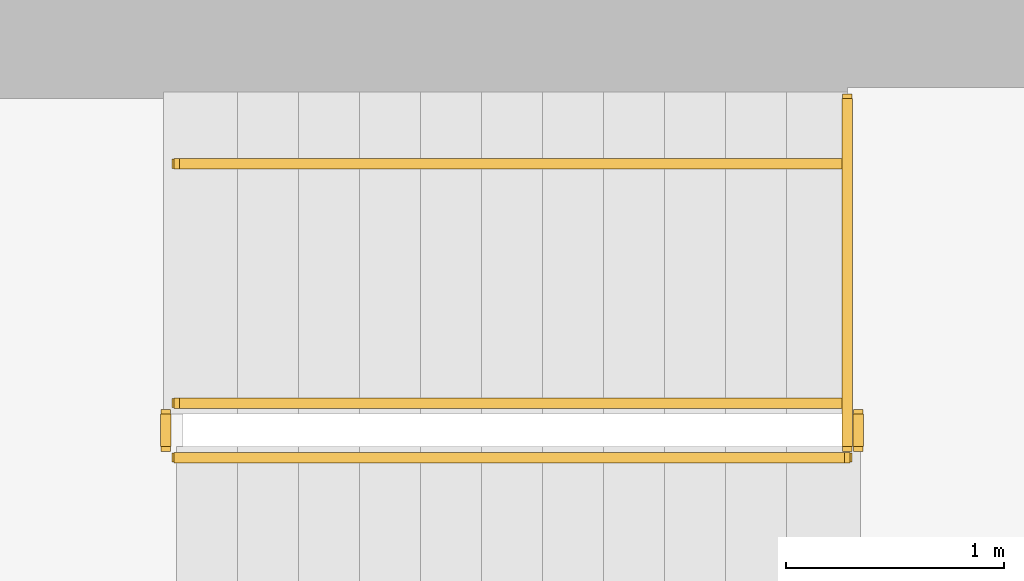
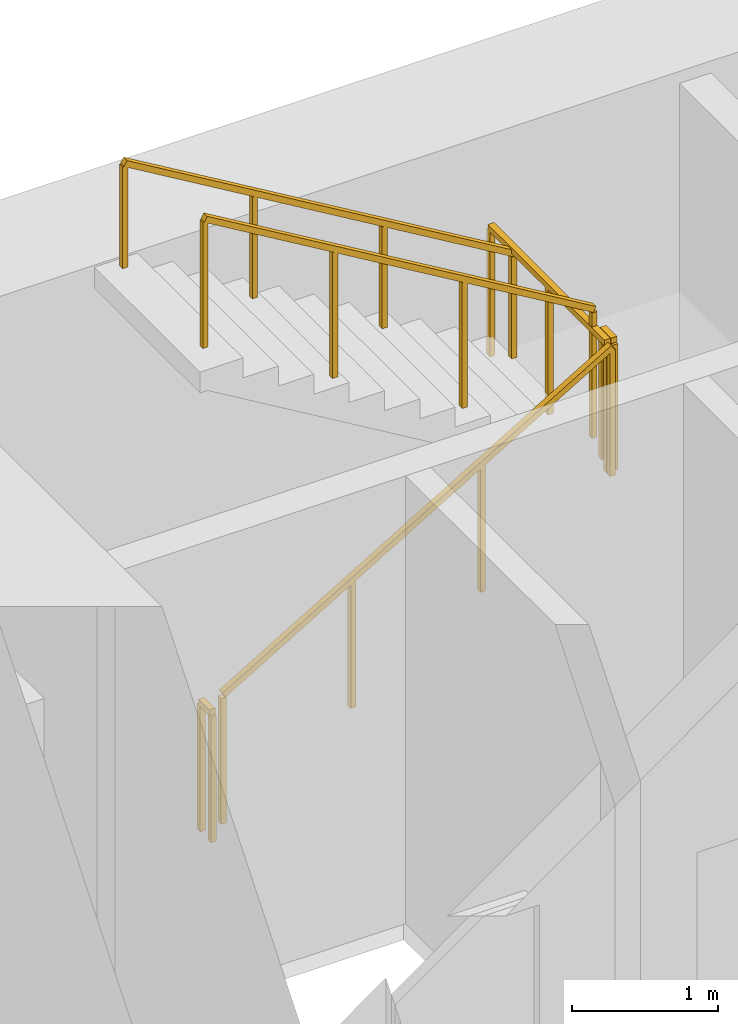
# One storey, part 15 of 16: 6 railings.
"""IFC4 building model written with IfcOpenShell, lengths in metres."""

from ifc_helpers import new_model, si_unit, direction, frame, origin, origin_2d, place, context, subcontext, project, spatial, rectangle, extrude, material, type_object, element, save


model = new_model("IFC4")

# Units and contexts
model_context = context("Model", 3, precision=1e-05, world=origin(), true_north=direction((0.0, 1.0)))
body_context = subcontext(model_context, "Body", "Model", "MODEL_VIEW")
ifc_project = project(units=[si_unit("LENGTHUNIT", "METRE"), si_unit("AREAUNIT", "SQUARE_METRE"), si_unit("VOLUMEUNIT", "CUBIC_METRE"), si_unit("PLANEANGLEUNIT", "RADIAN"), si_unit("MASSUNIT", "GRAM", prefix="KILO")], contexts=[model_context])

# Site, building, storey
site_placement = place(None, origin())
site = spatial("IfcSite", under=ifc_project, at=site_placement, CompositionType="ELEMENT")
building_placement = place(site_placement, origin())
building = spatial("IfcBuilding", under=site, at=building_placement, Name="Sennacour Bend Tower", CompositionType="ELEMENT")
storey_placement = place(building_placement, frame((0.0, 0.0, 183.0)))
storey = spatial("IfcBuildingStorey", under=building, at=storey_placement, Name="L42", CompositionType="ELEMENT", Elevation=183.0)

# Railings
ifc_material = material(Name="Stainless steel", Category="steel")
railing_type_1 = type_object("IfcRailingType", Name="RL-GUARD-1100", PredefinedType="GUARDRAIL", material=ifc_material)
railing_1_placement = place(storey_placement, frame((56.699951171875, 19.85009765625, 0.166748046875)))
element("IfcRailing", 1, at=railing_1_placement, inside=storey, type_object=railing_type_1, Name="L42 SA2 stair guard 1", PredefinedType="GUARDRAIL", context=body_context, shape_type="SweptSolid", body=[
    extrude(rectangle(XDim=0.048095703125, YDim=0.048095703125, at=origin_2d()), frame((0.0, 0.0, 1.076171875), z_axis=(0.859308565015, 0.0, 0.511457515432), x_axis=(0.0, 1.0, 0.0)), (0.0, 0.0, 1.0), 3.58447265625),
    extrude(rectangle(XDim=0.0419921875, YDim=0.0419921875, at=origin_2d()), origin(), (0.0, 0.0, 1.0), 1.052001953125),
    extrude(rectangle(XDim=0.0419921875, YDim=0.0419921875, at=origin_2d()), frame((1.026611328125, 0.0, 0.611083984375)), (0.0, 0.0, 1.0), 1.052001953125),
    extrude(rectangle(XDim=0.0419921875, YDim=0.0419921875, at=origin_2d()), frame((2.053466796875, 0.0, 1.22216796875)), (0.0, 0.0, 1.0), 1.052001953125),
    extrude(rectangle(XDim=0.0419921875, YDim=0.0419921875, at=origin_2d()), frame((3.080078125, 0.0, 1.833251953125)), (0.0, 0.0, 1.0), 1.052001953125),
])
railing_2_placement = place(storey_placement, frame((59.830078125, 19.89990234375, 2.0)))
element("IfcRailing", 2, at=railing_2_placement, inside=storey, type_object=railing_type_1, Name="L42 SA2 stair guard 2", PredefinedType="GUARDRAIL", context=body_context, shape_type="SweptSolid", body=[
    extrude(rectangle(XDim=0.048095703125, YDim=0.048095703125, at=origin_2d()), frame((0.0, 0.0, 1.076171875), z_axis=(0.0, 1.0, 0.0), x_axis=(-1.0, 0.0, 0.0)), (0.0, 0.0, 1.0), 0.150146484375),
    extrude(rectangle(XDim=0.0419921875, YDim=0.0419921875, at=origin_2d()), origin(), (0.0, 0.0, 1.0), 1.052001953125),
    extrude(rectangle(XDim=0.0419921875, YDim=0.0419921875, at=origin_2d()), frame((0.0, 0.150146484375, 0.0)), (0.0, 0.0, 1.0), 1.052001953125),
])
railing_3_placement = place(storey_placement, frame((59.780029296875, 20.10009765625, 2.166748046875)))
element("IfcRailing", 3, at=railing_3_placement, inside=storey, type_object=railing_type_1, Name="L42 SA2 stair guard 4", PredefinedType="GUARDRAIL", context=body_context, shape_type="SweptSolid", body=[
    extrude(rectangle(XDim=0.048095703125, YDim=0.048095703125, at=origin_2d()), frame((0.0, 0.0, 1.076171875), z_axis=(-0.859308565015, 0.0, 0.511457515432), x_axis=(0.0, -1.0, 0.0)), (0.0, 0.0, 1.0), 3.58447265625),
    extrude(rectangle(XDim=0.0419921875, YDim=0.0419921875, at=origin_2d()), origin(), (0.0, 0.0, 1.0), 1.052001953125),
    extrude(rectangle(XDim=0.0419921875, YDim=0.0419921875, at=origin_2d()), frame((-1.026611328125, 0.0, 0.611083984375)), (0.0, 0.0, 1.0), 1.052001953125),
    extrude(rectangle(XDim=0.0419921875, YDim=0.0419921875, at=origin_2d()), frame((-2.053466796875, 0.0, 1.22216796875)), (0.0, 0.0, 1.0), 1.052001953125),
    extrude(rectangle(XDim=0.0419921875, YDim=0.0419921875, at=origin_2d()), frame((-3.080078125, 0.0, 1.833251953125)), (0.0, 0.0, 1.0), 1.052001953125),
])
railing_4_placement = place(storey_placement, frame((56.64990234375, 19.89990234375, 0.0)))
element("IfcRailing", 4, at=railing_4_placement, inside=storey, type_object=railing_type_1, Name="L42 SA2 stair guard 5", PredefinedType="GUARDRAIL", context=body_context, shape_type="SweptSolid", body=[
    extrude(rectangle(XDim=0.048095703125, YDim=0.048095703125, at=origin_2d()), frame((0.0, 0.0, 1.076171875), z_axis=(0.0, 1.0, 0.0), x_axis=(-1.0, 0.0, 0.0)), (0.0, 0.0, 1.0), 0.150146484375),
    extrude(rectangle(XDim=0.0419921875, YDim=0.0419921875, at=origin_2d()), origin(), (0.0, 0.0, 1.0), 1.052001953125),
    extrude(rectangle(XDim=0.0419921875, YDim=0.0419921875, at=origin_2d()), frame((0.0, 0.150146484375, 0.0)), (0.0, 0.0, 1.0), 1.052001953125),
])
railing_5_placement = place(storey_placement, frame((59.780029296875, 19.89990234375, 2.0)))
element("IfcRailing", 5, at=railing_5_placement, inside=storey, type_object=railing_type_1, Name="L42 SA2 landing edge guard 57", PredefinedType="GUARDRAIL", context=body_context, shape_type="SweptSolid", body=[
    extrude(rectangle(XDim=0.048095703125, YDim=0.048095703125, at=origin_2d()), frame((0.0, 0.0, 1.076171875), z_axis=(0.0, 1.0, 0.0), x_axis=(-1.0, 0.0, 0.0)), (0.0, 0.0, 1.0), 1.60009765625),
    extrude(rectangle(XDim=0.0419921875, YDim=0.0419921875, at=origin_2d()), origin(), (0.0, 0.0, 1.0), 1.052001953125),
    extrude(rectangle(XDim=0.0419921875, YDim=0.0419921875, at=origin_2d()), frame((0.0, 0.800048828125, 0.0)), (0.0, 0.0, 1.0), 1.052001953125),
    extrude(rectangle(XDim=0.0419921875, YDim=0.0419921875, at=origin_2d()), frame((0.0, 1.60009765625, 0.0)), (0.0, 0.0, 1.0), 1.052001953125),
])
railing_type_2 = type_object("IfcRailingType", Name="RL-HANDRAIL-900", PredefinedType="HANDRAIL", material=ifc_material)
railing_6_placement = place(storey_placement, frame((59.780029296875, 21.199951171875, 2.166748046875)))
element("IfcRailing", 6, at=railing_6_placement, inside=storey, type_object=railing_type_2, Name="L42 SA2 stair handrail 2", PredefinedType="HANDRAIL", context=body_context, shape_type="SweptSolid", body=[
    extrude(rectangle(XDim=0.048095703125, YDim=0.048095703125, at=origin_2d()), frame((0.0, 0.0, 0.8759765625), z_axis=(-0.859308565015, 0.0, 0.511457515432), x_axis=(0.0, -1.0, 0.0)), (0.0, 0.0, 1.0), 3.58447265625),
    extrude(rectangle(XDim=0.0419921875, YDim=0.0419921875, at=origin_2d()), origin(), (0.0, 0.0, 1.0), 0.851806640625),
    extrude(rectangle(XDim=0.0419921875, YDim=0.0419921875, at=origin_2d()), frame((-1.026611328125, 0.0, 0.611083984375)), (0.0, 0.0, 1.0), 0.851806640625),
    extrude(rectangle(XDim=0.0419921875, YDim=0.0419921875, at=origin_2d()), frame((-2.053466796875, 0.0, 1.22216796875)), (0.0, 0.0, 1.0), 0.851806640625),
    extrude(rectangle(XDim=0.0419921875, YDim=0.0419921875, at=origin_2d()), frame((-3.080078125, 0.0, 1.833251953125)), (0.0, 0.0, 1.0), 0.851806640625),
])

save(model, "model.ifc")
